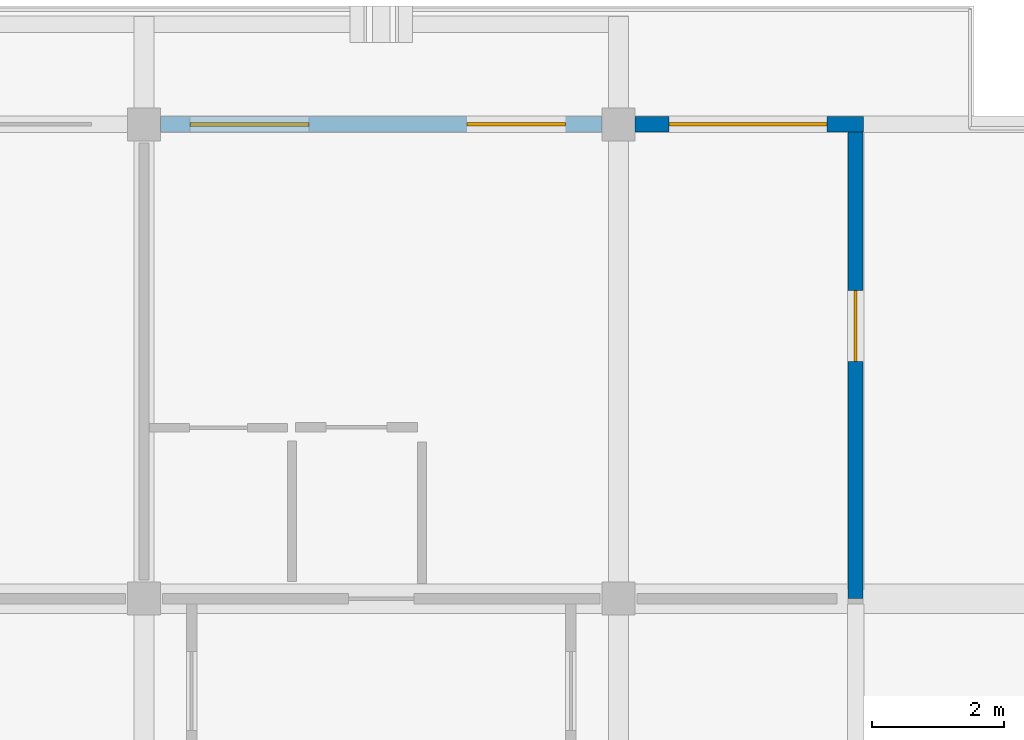
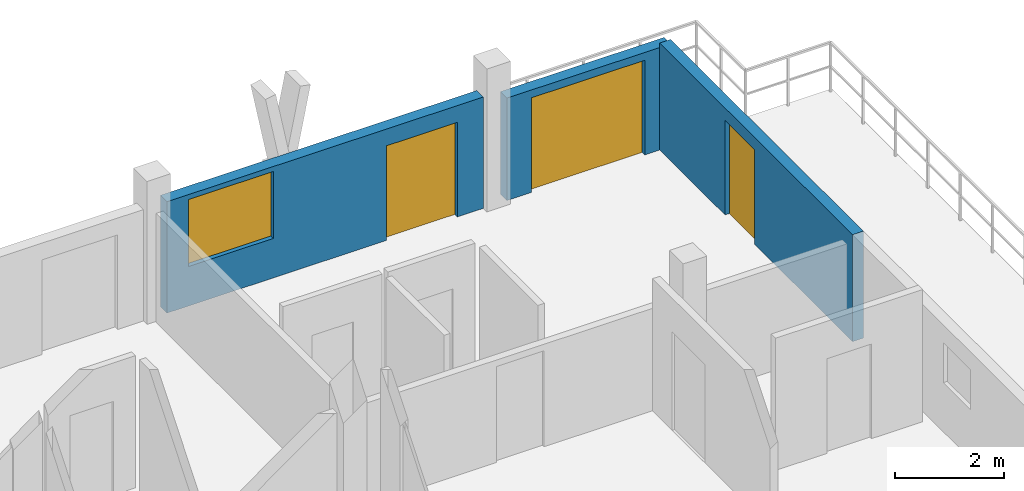
# One storey, part 6 of 7: 3 doors, 3 walls, 1 window, 4 openings.
"""IFC4 building model written with IfcOpenShell, lengths in metres."""

from ifc_helpers import new_model, si_unit, direction, frame, frame_2d, origin, place, context, subcontext, project, spatial, rectangle, extrude, material, layer, layer_set, type_object, element, fill, save


model = new_model("IFC4")

# Units and contexts
model_context = context("Model", 3, precision=1e-05, world=origin(), true_north=direction((0.0, 1.0)))
body_context = subcontext(model_context, "Body", "Model", "MODEL_VIEW")
ifc_project = project(units=[si_unit("LENGTHUNIT", "METRE"), si_unit("AREAUNIT", "SQUARE_METRE"), si_unit("VOLUMEUNIT", "CUBIC_METRE"), si_unit("PLANEANGLEUNIT", "RADIAN"), si_unit("MASSUNIT", "GRAM", prefix="KILO")], contexts=[model_context])

# Site, building, storey
site_placement = place(None, origin())
site = spatial("IfcSite", under=ifc_project, at=site_placement, CompositionType="ELEMENT")
building_placement = place(site_placement, origin())
building = spatial("IfcBuilding", under=site, at=building_placement, Name="Suanplinth Sawtooth Commons", CompositionType="ELEMENT")
storey_placement = place(building_placement, frame((0.0, 0.0, 50.89990234375)))
storey = spatial("IfcBuildingStorey", under=building, at=storey_placement, Name="L15", CompositionType="ELEMENT", Elevation=50.89990234375)

# Wall, openings, door, window
ifc_material_1 = material(Name="Precast concrete C40/50", Category="concrete")
ifc_layer_1 = layer(ifc_material_1, 0.239990234375, Name="Upper insulated precast facade wall 240mm")
ifc_layer_set_1 = layer_set([ifc_layer_1], Name="Precast concrete C40/50")
wall_type_1 = type_object("IfcWallType", Name="W-EX03", PredefinedType="ELEMENTEDWALL", material=ifc_layer_set_1)
wall_1_placement = place(storey_placement, frame((65.050048828125, 122.39990234375, 0.0), z_axis=(0.0, 0.0, 1.0), x_axis=(1.0, 0.0, 0.0)))
wall_1 = element("IfcWall", 1, at=wall_1_placement, inside=storey, type_object=wall_type_1, Name="Facade Wall W-L15-A-N-4", PredefinedType="ELEMENTEDWALL", context=body_context, shape_type="SweptSolid", body=[
    extrude(rectangle(XDim=6.699951171875, YDim=0.239990234375, at=frame_2d((3.35009765625, 0.0))), origin(), (0.0, 0.0, 1.0), 2.4951171875),
])
opening_1_placement = place(wall_1_placement, frame((4.64990234375, 0.0, 0.0)))
opening_1 = element("IfcOpeningElement", 2, at=opening_1_placement, cuts=wall_1, Name="Opening ED0858", PredefinedType="OPENING", context=body_context, shape_type="SweptSolid", body=[
    extrude(rectangle(XDim=1.5, YDim=2.1201171875, at=frame_2d((0.75, 1.06005859375))), frame((0.0, 0.134765625, 0.0), z_axis=(0.0, -1.0, 0.0), x_axis=(1.0, 0.0, 0.0)), (0.0, 0.0, 1.0), 0.269775390625),
])
opening_2_placement = place(wall_1_placement, frame((0.449951171875, 0.0, 0.885009765625)))
opening_2 = element("IfcOpeningElement", 3, at=opening_2_placement, cuts=wall_1, Name="Opening W0943", PredefinedType="OPENING", context=body_context, shape_type="SweptSolid", body=[
    extrude(rectangle(XDim=1.800048828125, YDim=1.5, at=frame_2d((0.89990234375, 0.75))), frame((0.0, 0.134765625, 0.0), z_axis=(0.0, -1.0, 0.0), x_axis=(1.0, 0.0, 0.0)), (0.0, 0.0, 1.0), 0.269775390625),
])
ifc_material_2 = material(Name="Anodized aluminium and low-E glass", Category="aluminium")
door_type_1 = type_object("IfcDoorType", Name="SD-03", OperationType="SLIDING_TO_LEFT", PredefinedType="DOOR", material=ifc_material_2)
door_1_placement = place(opening_1_placement, frame((1.5, 0.0, 0.0), z_axis=(0.0, 0.0, 1.0), x_axis=(-1.0, 0.0, 0.0)))
door_1 = element("IfcDoor", 4, at=door_1_placement, inside=storey, type_object=door_type_1, Name="Balcony Sliding Door L15-A-N-4", OperationType="SLIDING_TO_LEFT", OverallHeight=2.1201171875, OverallWidth=1.5, PredefinedType="DOOR", context=body_context, shape_type="SweptSolid", body=[
    extrude(rectangle(XDim=1.5, YDim=2.1201171875, at=frame_2d((0.75, 1.06005859375))), frame((0.0, 0.02490234375, 0.0), z_axis=(0.0, -1.0, 0.0), x_axis=(1.0, 0.0, 0.0)), (0.0, 0.0, 1.0), 0.050048828125),
])
fill(opening_1, door_1)
ifc_material_3 = material(Name="Thermally broken aluminium and low-E double glazing", Category="aluminium")
window_type = type_object("IfcWindowType", Name="WN-01", PartitioningType="DOUBLE_PANEL_VERTICAL", PredefinedType="WINDOW", material=ifc_material_3)
window_placement = place(opening_2_placement, origin())
window = element("IfcWindow", 5, at=window_placement, inside=storey, type_object=window_type, Name="Window L15-A-N-4", OverallHeight=1.5, OverallWidth=1.800048828125, PartitioningType="DOUBLE_PANEL_VERTICAL", PredefinedType="WINDOW", context=body_context, shape_type="SweptSolid", body=[
    extrude(rectangle(XDim=1.800048828125, YDim=1.5, at=frame_2d((0.89990234375, 0.75))), frame((0.0, 0.030029296875, 0.0), z_axis=(0.0, -1.0, 0.0), x_axis=(1.0, 0.0, 0.0)), (0.0, 0.0, 1.0), 0.06005859375),
])
fill(opening_2, window)

# Wall, opening, door
wall_2_placement = place(storey_placement, frame((72.25, 122.39990234375, 0.0), z_axis=(0.0, 0.0, 1.0), x_axis=(1.0, 0.0, 0.0)))
wall_2 = element("IfcWall", 6, at=wall_2_placement, inside=storey, type_object=wall_type_1, Name="Facade Wall W-L15-A-N-5", PredefinedType="ELEMENTEDWALL", context=body_context, shape_type="SweptSolid", body=[
    extrude(rectangle(XDim=3.469970703125, YDim=0.239990234375, at=frame_2d((1.73486328125, 0.0))), origin(), (0.0, 0.0, 1.0), 2.295166015625),
])
opening_3_placement = place(wall_2_placement, frame((0.52001953125, 0.0, 0.0)))
opening_3 = element("IfcOpeningElement", 7, at=opening_3_placement, cuts=wall_2, Name="Opening ED0859", PredefinedType="OPENING", context=body_context, shape_type="SweptSolid", body=[
    extrude(rectangle(XDim=2.39990234375, YDim=2.1201171875, at=frame_2d((1.199951171875, 1.06005859375))), frame((0.0, 0.134765625, 0.0), z_axis=(0.0, -1.0, 0.0), x_axis=(1.0, 0.0, 0.0)), (0.0, 0.0, 1.0), 0.269775390625),
])
door_type_2 = type_object("IfcDoorType", Name="SD-04", OperationType="DOUBLE_DOOR_SLIDING", PredefinedType="DOOR", material=ifc_material_2)
door_2_placement = place(opening_3_placement, frame((2.39990234375, 0.0, 0.0), z_axis=(0.0, 0.0, 1.0), x_axis=(-1.0, 0.0, 0.0)))
door_2 = element("IfcDoor", 8, at=door_2_placement, inside=storey, type_object=door_type_2, Name="Balcony Sliding Door L15-A-N-5", OperationType="DOUBLE_DOOR_SLIDING", OverallHeight=2.1201171875, OverallWidth=2.39990234375, PredefinedType="DOOR", context=body_context, shape_type="SweptSolid", body=[
    extrude(rectangle(XDim=2.39990234375, YDim=2.1201171875, at=frame_2d((1.199951171875, 1.06005859375))), frame((0.0, 0.02490234375, 0.0), z_axis=(0.0, -1.0, 0.0), x_axis=(1.0, 0.0, 0.0)), (0.0, 0.0, 1.0), 0.050048828125),
])
fill(opening_3, door_2)

ifc_layer_2 = layer(ifc_material_1, 0.22998046875, Name="Stepped terrace insulated precast wall 230mm")
ifc_layer_set_2 = layer_set([ifc_layer_2], Name="Precast concrete C40/50")
wall_type_2 = type_object("IfcWallType", Name="W-EX06", PredefinedType="ELEMENTEDWALL", material=ifc_layer_set_2)
wall_3_placement = place(storey_placement, frame((75.60009765625, 115.199951171875, 0.0), z_axis=(0.0, 0.0, 1.0), x_axis=(0.0, 1.0, 0.0)))
wall_3 = element("IfcWall", 9, at=wall_3_placement, inside=storey, type_object=wall_type_2, Name="End Wall W-L15-A-E-16", PredefinedType="ELEMENTEDWALL", context=body_context, shape_type="SweptSolid", body=[
    extrude(rectangle(XDim=7.080078125, YDim=0.22998046875, at=frame_2d((3.5400390625, 0.0))), origin(), (0.0, 0.0, 1.0), 2.39501953125),
])
opening_4_placement = place(wall_3_placement, frame((3.60009765625, 0.0, 0.0)))
opening_4 = element("IfcOpeningElement", 10, at=opening_4_placement, cuts=wall_3, Name="Opening ED0862", PredefinedType="OPENING", context=body_context, shape_type="SweptSolid", body=[
    extrude(rectangle(XDim=1.080078125, YDim=2.1201171875, at=frame_2d((0.5400390625, 1.06005859375))), frame((0.0, 0.1298828125, 0.0), z_axis=(0.0, -1.0, 0.0), x_axis=(1.0, 0.0, 0.0)), (0.0, 0.0, 1.0), 0.259765625),
])
door_type_3 = type_object("IfcDoorType", Name="ED-10", OperationType="NOTDEFINED", PredefinedType="DOOR", material=ifc_material_2)
door_3_placement = place(opening_4_placement, frame((1.080078125, 0.0, 0.0), z_axis=(0.0, 0.0, 1.0), x_axis=(-1.0, 0.0, 0.0)))
door_3 = element("IfcDoor", 11, at=door_3_placement, inside=storey, type_object=door_type_3, Name="L15 Block A E Stepped Terrace Door", OperationType="SINGLE_SWING_LEFT", OverallHeight=2.1201171875, OverallWidth=1.080078125, PredefinedType="DOOR", context=body_context, shape_type="SweptSolid", body=[
    extrude(rectangle(XDim=1.080078125, YDim=2.1201171875, at=frame_2d((0.5400390625, 1.06005859375))), frame((0.0, 0.02490234375, 0.0), z_axis=(0.0, -1.0, 0.0), x_axis=(1.0, 0.0, 0.0)), (0.0, 0.0, 1.0), 0.050048828125),
])
fill(opening_4, door_3)

save(model, "model.ifc")
